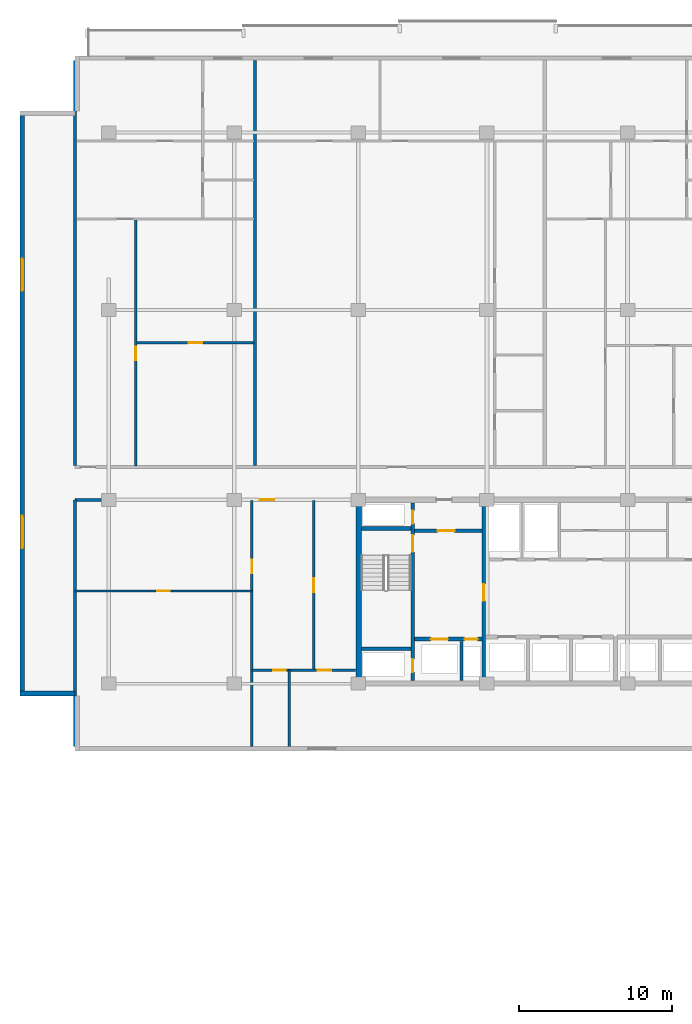
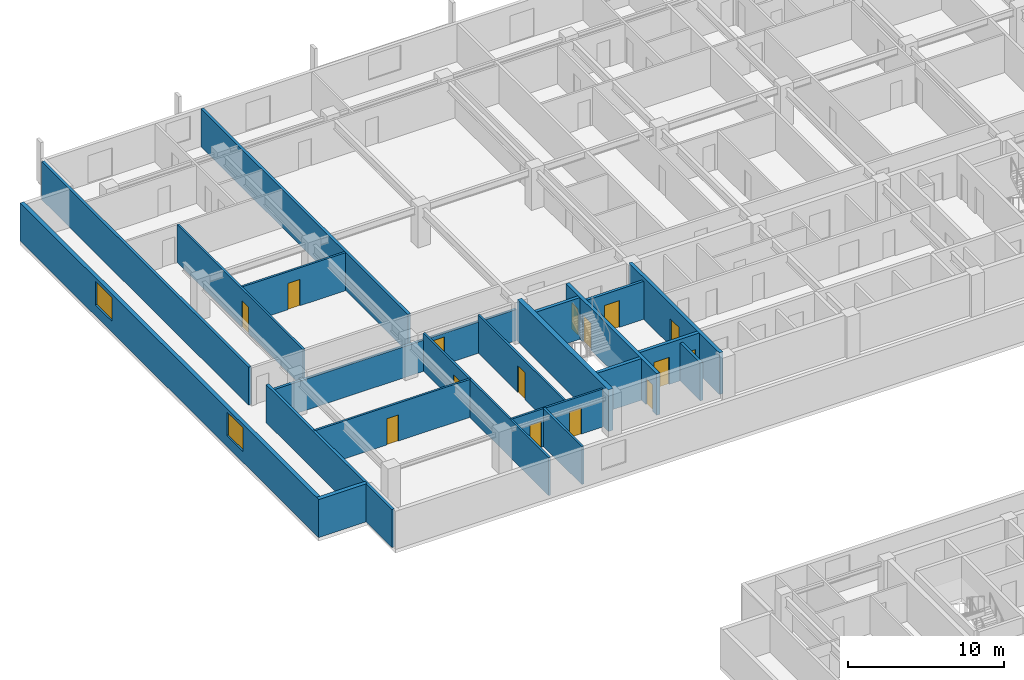
# One storey, part 11 of 22: 21 walls, 15 doors, 2 windows, 17 openings.
"""IFC4 building model written with IfcOpenShell, lengths in metres."""

from ifc_helpers import new_model, si_unit, direction, frame, frame_2d, origin, place, context, subcontext, project, spatial, rectangle, extrude, material, layer, layer_set, type_object, element, fill, save


model = new_model("IFC4")

# Units and contexts
model_context = context("Model", 3, precision=1e-05, world=origin(), true_north=direction((0.0, 1.0)))
body_context = subcontext(model_context, "Body", "Model", "MODEL_VIEW")
ifc_project = project(units=[si_unit("LENGTHUNIT", "METRE"), si_unit("AREAUNIT", "SQUARE_METRE"), si_unit("VOLUMEUNIT", "CUBIC_METRE"), si_unit("PLANEANGLEUNIT", "RADIAN"), si_unit("MASSUNIT", "GRAM", prefix="KILO")], contexts=[model_context])

# Site, building, storey
site_placement = place(None, origin())
site = spatial("IfcSite", under=ifc_project, at=site_placement, CompositionType="ELEMENT")
building_placement = place(site_placement, origin())
building = spatial("IfcBuilding", under=site, at=building_placement, Name="Korimba Cascade Residences", CompositionType="ELEMENT")
storey_placement = place(building_placement, frame((0.0, 0.0, 84.050048828125)))
storey = spatial("IfcBuildingStorey", under=building, at=storey_placement, Name="L23", CompositionType="ELEMENT", Elevation=84.050048828125)

# Wall, openings, windows
ifc_material_1 = material(Name="Precast concrete C40/50", Category="concrete")
ifc_layer_1 = layer(ifc_material_1, 0.300048828125)
ifc_layer_set_1 = layer_set([ifc_layer_1], Name="Precast concrete C40/50")
wall_type_1 = type_object("IfcWallType", Name="EW-STONE-300", PredefinedType="STANDARD", material=ifc_layer_set_1)
wall_1_placement = place(storey_placement, frame((54.14990234375, 92.60009765625, 0.0), z_axis=(0.0, 0.0, 1.0), x_axis=(0.0, -1.0, 0.0)))
wall_1 = element("IfcWall", 1, at=wall_1_placement, inside=storey, type_object=wall_type_1, Name="L23 T1 Perimeter Stone Wall E09", PredefinedType="STANDARD", context=body_context, shape_type="SweptSolid", body=[
    extrude(rectangle(XDim=38.2001953125, YDim=0.300048828125, at=frame_2d((19.10009765625, 0.0))), origin(), (0.0, 0.0, 1.0), 2.969970703125),
])
opening_1_placement = place(wall_1_placement, frame((9.64599609375, 0.0, 0.85009765625)))
opening_1 = element("IfcOpeningElement", 2, at=opening_1_placement, cuts=wall_1, Name="Opening W-03", PredefinedType="OPENING", context=body_context, shape_type="SweptSolid", body=[
    extrude(rectangle(XDim=2.10009765625, YDim=1.85009765625, at=frame_2d((1.050048828125, 0.925048828125))), frame((0.0, 0.16015625, 0.0), z_axis=(0.0, -1.0, 0.0), x_axis=(1.0, 0.0, 0.0)), (0.0, 0.0, 1.0), 0.320068359375),
])
opening_2_placement = place(wall_1_placement, frame((26.4541015625, 0.0, 0.85009765625)))
opening_2 = element("IfcOpeningElement", 3, at=opening_2_placement, cuts=wall_1, Name="Opening W-03", PredefinedType="OPENING", context=body_context, shape_type="SweptSolid", body=[
    extrude(rectangle(XDim=2.10009765625, YDim=1.85009765625, at=frame_2d((1.050048828125, 0.925048828125))), frame((0.0, 0.16015625, 0.0), z_axis=(0.0, -1.0, 0.0), x_axis=(1.0, 0.0, 0.0)), (0.0, 0.0, 1.0), 0.320068359375),
])
ifc_material_2 = material(Name="Double-Glazed Aluminium Window", Category="aluminium")
window_type = type_object("IfcWindowType", Name="WIN-CRN-2100", PartitioningType="DOUBLE_PANEL_HORIZONTAL", PredefinedType="WINDOW", material=ifc_material_2)
window_1_placement = place(opening_1_placement, origin())
window_1 = element("IfcWindow", 4, at=window_1_placement, inside=storey, type_object=window_type, Name="L23 T1 End View Window 9.1", OverallHeight=1.85009765625, OverallWidth=2.10009765625, PartitioningType="DOUBLE_PANEL_HORIZONTAL", PredefinedType="WINDOW", context=body_context, shape_type="SweptSolid", body=[
    extrude(rectangle(XDim=2.10009765625, YDim=1.85009765625, at=frame_2d((1.050048828125, 0.925048828125))), frame((0.0, 0.030029296875, 0.0), z_axis=(0.0, -1.0, 0.0), x_axis=(1.0, 0.0, 0.0)), (0.0, 0.0, 1.0), 0.06005859375),
])
fill(opening_1, window_1)
window_2_placement = place(opening_2_placement, origin())
window_2 = element("IfcWindow", 5, at=window_2_placement, inside=storey, type_object=window_type, Name="L23 T1 End View Window 9.2", OverallHeight=1.85009765625, OverallWidth=2.10009765625, PartitioningType="DOUBLE_PANEL_HORIZONTAL", PredefinedType="WINDOW", context=body_context, shape_type="SweptSolid", body=[
    extrude(rectangle(XDim=2.10009765625, YDim=1.85009765625, at=frame_2d((1.050048828125, 0.925048828125))), frame((0.0, 0.030029296875, 0.0), z_axis=(0.0, -1.0, 0.0), x_axis=(1.0, 0.0, 0.0)), (0.0, 0.0, 1.0), 0.06005859375),
])
fill(opening_2, window_2)

# Walls
wall_2_placement = place(storey_placement, frame((54.0, 54.550048828125, 0.0), z_axis=(0.0, 0.0, 1.0), x_axis=(1.0, 0.0, 0.0)))
element("IfcWall", 6, at=wall_2_placement, inside=storey, type_object=wall_type_1, Name="L23 T1 Perimeter Stone Wall E10", PredefinedType="STANDARD", context=body_context, shape_type="SweptSolid", body=[
    extrude(rectangle(XDim=3.60009765625, YDim=0.300048828125, at=frame_2d((1.800048828125, 0.0))), origin(), (0.0, 0.0, 1.0), 2.969970703125),
])
ifc_material_3 = material(Name="Concrete C65/80", Category="concrete")
ifc_layer_2 = layer(ifc_material_3, 0.35009765625)
ifc_layer_set_2 = layer_set([ifc_layer_2], Name="Concrete C65/80")
wall_type_2 = type_object("IfcWallType", Name="WAL-CORE-350", PredefinedType="SHEAR", material=ifc_layer_set_2)
wall_3_placement = place(storey_placement, frame((76.125, 55.375, 0.0), z_axis=(0.0, 0.0, 1.0), x_axis=(0.0, 1.0, 0.0)))
element("IfcWall", 7, at=wall_3_placement, inside=storey, type_object=wall_type_2, Name="L23 Core Shear Wall CW-L23-T1-W", PredefinedType="SHEAR", context=body_context, shape_type="SweptSolid", body=[
    extrude(rectangle(XDim=11.64990234375, YDim=0.35009765625, at=frame_2d((5.824951171875, 0.0))), origin(), (0.0, 0.0, 1.0), 3.25),
])
ifc_layer_3 = layer(ifc_material_1, 0.199951171875)
ifc_layer_set_3 = layer_set([ifc_layer_3], Name="Precast concrete C40/50")
wall_type_3 = type_object("IfcWallType", Name="WAL-IT-200", PredefinedType="PARTITIONING", material=ifc_layer_set_3)
wall_4_placement = place(storey_placement, frame((57.60009765625, 51.10009765625, 0.0), z_axis=(0.0, 0.0, 1.0), x_axis=(0.0, 1.0, 0.0)))
element("IfcWall", 8, at=wall_4_placement, inside=storey, type_object=wall_type_3, Name="L23 Partition Wall WAL-L23-T1-FW-WL", PredefinedType="PARTITIONING", context=body_context, shape_type="SweptSolid", body=[
    extrude(rectangle(XDim=16.099853515625, YDim=0.199951171875, at=frame_2d((8.0498046875, 0.0))), origin(), (0.0, 0.0, 1.0), 2.969970703125),
])

# Wall, opening, door
wall_5_placement = place(storey_placement, frame((57.60009765625, 67.199951171875, 0.0), z_axis=(0.0, 0.0, 1.0), x_axis=(1.0, 0.0, 0.0)))
wall_5 = element("IfcWall", 9, at=wall_5_placement, inside=storey, type_object=wall_type_3, Name="L23 Partition Wall WAL-L23-T1-FW-N", PredefinedType="PARTITIONING", context=body_context, shape_type="SweptSolid", body=[
    extrude(rectangle(XDim=18.349853515625, YDim=0.199951171875, at=frame_2d((9.1748046875, 0.0))), origin(), (0.0, 0.0, 1.0), 2.433349609375),
])
opening_3_placement = place(wall_5_placement, frame((12.07470703125, 0.0, 0.0)))
opening_3 = element("IfcOpeningElement", 10, at=opening_3_placement, cuts=wall_5, Name="Opening D-UN1", PredefinedType="OPENING", context=body_context, shape_type="SweptSolid", body=[
    extrude(rectangle(XDim=0.949951171875, YDim=2.14990234375, at=frame_2d((0.47509765625, 1.074951171875))), frame((0.0, 0.10986328125, 0.0), z_axis=(0.0, -1.0, 0.0), x_axis=(1.0, 0.0, 0.0)), (0.0, 0.0, 1.0), 0.219970703125),
])
ifc_material_4 = material(Name="Fire-Rated Hardwood Apartment Entrance Door", Category="wood")
door_type_1 = type_object("IfcDoorType", Name="DR-FD60-950", OperationType="NOTDEFINED", PredefinedType="DOOR", material=ifc_material_4)
door_1_placement = place(opening_3_placement, origin())
door_1 = element("IfcDoor", 11, at=door_1_placement, inside=storey, type_object=door_type_1, Name="L23-T1-FW Entrance Door", OperationType="SINGLE_SWING_LEFT", OverallHeight=2.14990234375, OverallWidth=0.949951171875, PredefinedType="DOOR", context=body_context, shape_type="SweptSolid", body=[
    extrude(rectangle(XDim=0.949951171875, YDim=2.14990234375, at=frame_2d((0.47509765625, 1.074951171875))), frame((0.0, 0.02490234375, 0.0), z_axis=(0.0, -1.0, 0.0), x_axis=(1.0, 0.0, 0.0)), (0.0, 0.0, 1.0), 0.050048828125),
])
fill(opening_3, door_1)

# Walls
for number, where, z_axis, x_axis, name in (
    (12, (57.60009765625, 69.429931640625, 0.0), (0.0, 0.0, 1.0), (0.0, 1.0, 0.0), "L23 Partition Wall WAL-L23-T1-BNDWL"),
    (13, (69.36669921875, 69.429931640625, 0.0), (0.0, 0.0, 1.0), (0.0, 1.0, 0.0), "L23 Partition Wall WAL-L23-T1-DEM-1"),
):
    element("IfcWall", number, at=place(storey_placement, frame(where, z_axis=z_axis, x_axis=x_axis)), inside=storey, type_object=wall_type_3, Name=name, PredefinedType="PARTITIONING", context=body_context, shape_type="SweptSolid", body=[
        extrude(rectangle(XDim=26.469970703125, YDim=0.199951171875, at=frame_2d((13.23486328125, 0.0))), origin(), (0.0, 0.0, 1.0), 2.969970703125),
    ])

# Wall, opening, door
ifc_material_5 = material(Name="Insulated Acoustic Stud Partition", Category="gypsum")
ifc_layer_4 = layer(ifc_material_5, 0.14990234375)
ifc_layer_set_4 = layer_set([ifc_layer_4], Name="Insulated Acoustic Stud Partition")
wall_type_4 = type_object("IfcWallType", Name="WAL-PART-150", PredefinedType="PARTITIONING", material=ifc_layer_set_4)
wall_6_placement = place(storey_placement, frame((57.60009765625, 61.25, 0.0), z_axis=(0.0, 0.0, 1.0), x_axis=(1.0, 0.0, 0.0)))
wall_6 = element("IfcWall", 14, at=wall_6_placement, inside=storey, type_object=wall_type_4, Name="L23 Partition Wall WAL-L23-T1-FW-STH", PredefinedType="PARTITIONING", context=body_context, shape_type="SweptSolid", body=[
    extrude(rectangle(XDim=11.5498046875, YDim=0.14990234375, at=frame_2d((5.77490234375, 0.0))), origin(), (0.0, 0.0, 1.0), 2.969970703125),
])
opening_4_placement = place(wall_6_placement, frame((5.35498046875, 0.0, 0.0)))
opening_4 = element("IfcOpeningElement", 15, at=opening_4_placement, cuts=wall_6, Name="Opening D-BT1", PredefinedType="OPENING", context=body_context, shape_type="SweptSolid", body=[
    extrude(rectangle(XDim=0.840087890625, YDim=2.0400390625, at=frame_2d((0.419921875, 1.02001953125))), frame((0.0, 0.0849609375, 0.0), z_axis=(0.0, -1.0, 0.0), x_axis=(1.0, 0.0, 0.0)), (0.0, 0.0, 1.0), 0.169921875),
])
ifc_material_6 = material(Name="Moisture-Resistant Bathroom Timber Door", Category="wood")
door_type_2 = type_object("IfcDoorType", Name="DR-INT-850", OperationType="NOTDEFINED", PredefinedType="DOOR", material=ifc_material_6)
door_2_placement = place(opening_4_placement, origin())
door_2 = element("IfcDoor", 16, at=door_2_placement, inside=storey, type_object=door_type_2, Name="L23-T1-FW Dressing Store Door", OperationType="SINGLE_SWING_RIGHT", OverallHeight=2.0400390625, OverallWidth=0.840087890625, PredefinedType="DOOR", context=body_context, shape_type="SweptSolid", body=[
    extrude(rectangle(XDim=0.840087890625, YDim=2.0400390625, at=frame_2d((0.419921875, 1.02001953125))), frame((0.0, 0.02490234375, 0.0), z_axis=(0.0, -1.0, 0.0), x_axis=(1.0, 0.0, 0.0)), (0.0, 0.0, 1.0), 0.050048828125),
])
fill(opening_4, door_2)

wall_7_placement = place(storey_placement, frame((69.14990234375, 51.10009765625, 0.0), z_axis=(0.0, 0.0, 1.0), x_axis=(0.0, 1.0, 0.0)))
wall_7 = element("IfcWall", 17, at=wall_7_placement, inside=storey, type_object=wall_type_4, Name="L23 Partition Wall WAL-L23-T1-FW-STV", PredefinedType="PARTITIONING", context=body_context, shape_type="SweptSolid", body=[
    extrude(rectangle(XDim=16.0498046875, YDim=0.14990234375, at=frame_2d((8.02490234375, 0.0))), origin(), (0.0, 0.0, 1.0), 2.969970703125),
])
opening_5_placement = place(wall_7_placement, frame((11.300048828125, 0.0, 0.0)))
opening_5 = element("IfcOpeningElement", 18, at=opening_5_placement, cuts=wall_7, Name="Opening D-IN2", PredefinedType="OPENING", context=body_context, shape_type="SweptSolid", body=[
    extrude(rectangle(XDim=0.8798828125, YDim=2.06005859375, at=frame_2d((0.43994140625, 1.030029296875))), frame((0.0, 0.0849609375, 0.0), z_axis=(0.0, -1.0, 0.0), x_axis=(1.0, 0.0, 0.0)), (0.0, 0.0, 1.0), 0.169921875),
])
ifc_material_7 = material(Name="Acoustic Timber Bedroom Door", Category="wood")
door_type_3 = type_object("IfcDoorType", Name="DR-INT-880", OperationType="NOTDEFINED", PredefinedType="DOOR", material=ifc_material_7)
door_3_placement = place(opening_5_placement, origin())
door_3 = element("IfcDoor", 19, at=door_3_placement, inside=storey, type_object=door_type_3, Name="L23-T1-FW Study Door", OperationType="SINGLE_SWING_LEFT", OverallHeight=2.06005859375, OverallWidth=0.8798828125, PredefinedType="DOOR", context=body_context, shape_type="SweptSolid", body=[
    extrude(rectangle(XDim=0.8798828125, YDim=2.06005859375, at=frame_2d((0.43994140625, 1.030029296875))), frame((0.0, 0.02490234375, 0.0), z_axis=(0.0, -1.0, 0.0), x_axis=(1.0, 0.0, 0.0)), (0.0, 0.0, 1.0), 0.050048828125),
])
fill(opening_5, door_3)

wall_8_placement = place(storey_placement, frame((73.199951171875, 56.070068359375, 0.0), z_axis=(0.0, 0.0, 1.0), x_axis=(0.0, 1.0, 0.0)))
wall_8 = element("IfcWall", 20, at=wall_8_placement, inside=storey, type_object=wall_type_4, Name="L23 Partition Wall WAL-L23-T1-FW-VN", PredefinedType="PARTITIONING", context=body_context, shape_type="SweptSolid", body=[
    extrude(rectangle(XDim=11.079833984375, YDim=0.14990234375, at=frame_2d((5.5400390625, 0.0))), origin(), (0.0, 0.0, 1.0), 2.969970703125),
])
opening_6_placement = place(wall_8_placement, frame((5.080078125, 0.0, 0.0)))
opening_6 = element("IfcOpeningElement", 21, at=opening_6_placement, cuts=wall_8, Name="Opening D-IN1", PredefinedType="OPENING", context=body_context, shape_type="SweptSolid", body=[
    extrude(rectangle(XDim=0.919921875, YDim=2.080078125, at=frame_2d((0.4599609375, 1.0400390625))), frame((0.0, 0.0849609375, 0.0), z_axis=(0.0, -1.0, 0.0), x_axis=(1.0, 0.0, 0.0)), (0.0, 0.0, 1.0), 0.169921875),
])
ifc_material_8 = material(Name="Acoustic Timber Living Door", Category="wood")
door_type_4 = type_object("IfcDoorType", Name="DR-INT-920", OperationType="NOTDEFINED", PredefinedType="DOOR", material=ifc_material_8)
door_4_placement = place(opening_6_placement, origin())
door_4 = element("IfcDoor", 22, at=door_4_placement, inside=storey, type_object=door_type_4, Name="L23-T1-FW Living Door", OperationType="SINGLE_SWING_RIGHT", OverallHeight=2.080078125, OverallWidth=0.919921875, PredefinedType="DOOR", context=body_context, shape_type="SweptSolid", body=[
    extrude(rectangle(XDim=0.919921875, YDim=2.080078125, at=frame_2d((0.4599609375, 1.0400390625))), frame((0.0, 0.02490234375, 0.0), z_axis=(0.0, -1.0, 0.0), x_axis=(1.0, 0.0, 0.0)), (0.0, 0.0, 1.0), 0.050048828125),
])
fill(opening_6, door_4)

# Wall
wall_9_placement = place(storey_placement, frame((71.60009765625, 51.10009765625, 0.0), z_axis=(0.0, 0.0, 1.0), x_axis=(0.0, 1.0, 0.0)))
element("IfcWall", 23, at=wall_9_placement, inside=storey, type_object=wall_type_4, Name="L23 Partition Wall WAL-L23-T1-FW-VS", PredefinedType="PARTITIONING", context=body_context, shape_type="SweptSolid", body=[
    extrude(rectangle(XDim=4.969970703125, YDim=0.14990234375, at=frame_2d((2.48486328125, 0.0))), origin(), (0.0, 0.0, 1.0), 2.969970703125),
])

# Wall, openings, doors
wall_10_placement = place(storey_placement, frame((69.169921875, 56.070068359375, 0.0), z_axis=(0.0, 0.0, 1.0), x_axis=(1.0, 0.0, 0.0)))
wall_10 = element("IfcWall", 24, at=wall_10_placement, inside=storey, type_object=wall_type_4, Name="L23 Partition Wall WAL-L23-T1-FW-H", PredefinedType="PARTITIONING", context=body_context, shape_type="SweptSolid", body=[
    extrude(rectangle(XDim=6.760009765625, YDim=0.14990234375, at=frame_2d((3.3798828125, 0.0))), origin(), (0.0, 0.0, 1.0), 2.969970703125),
])
opening_7_placement = place(wall_10_placement, frame((1.3623046875, 0.0, 0.0)))
opening_7 = element("IfcOpeningElement", 25, at=opening_7_placement, cuts=wall_10, Name="Opening D-BT1", PredefinedType="OPENING", context=body_context, shape_type="SweptSolid", body=[
    extrude(rectangle(XDim=0.840087890625, YDim=2.0400390625, at=frame_2d((0.419921875, 1.02001953125))), frame((0.0, 0.0849609375, 0.0), z_axis=(0.0, -1.0, 0.0), x_axis=(1.0, 0.0, 0.0)), (0.0, 0.0, 1.0), 0.169921875),
])
opening_8_placement = place(wall_10_placement, frame((4.276611328125, 0.0, 0.0)))
opening_8 = element("IfcOpeningElement", 26, at=opening_8_placement, cuts=wall_10, Name="Opening D-IN2", PredefinedType="OPENING", context=body_context, shape_type="SweptSolid", body=[
    extrude(rectangle(XDim=0.8798828125, YDim=2.06005859375, at=frame_2d((0.43994140625, 1.030029296875))), frame((0.0, 0.0849609375, 0.0), z_axis=(0.0, -1.0, 0.0), x_axis=(1.0, 0.0, 0.0)), (0.0, 0.0, 1.0), 0.169921875),
])
door_5_placement = place(opening_7_placement, origin())
door_5 = element("IfcDoor", 27, at=door_5_placement, inside=storey, type_object=door_type_2, Name="L23-T1-FW Bathroom Door", OperationType="SINGLE_SWING_LEFT", OverallHeight=2.0400390625, OverallWidth=0.840087890625, PredefinedType="DOOR", context=body_context, shape_type="SweptSolid", body=[
    extrude(rectangle(XDim=0.840087890625, YDim=2.0400390625, at=frame_2d((0.419921875, 1.02001953125))), frame((0.0, 0.02490234375, 0.0), z_axis=(0.0, -1.0, 0.0), x_axis=(1.0, 0.0, 0.0)), (0.0, 0.0, 1.0), 0.050048828125),
])
fill(opening_7, door_5)
door_6_placement = place(opening_8_placement, origin())
door_6 = element("IfcDoor", 28, at=door_6_placement, inside=storey, type_object=door_type_3, Name="L23-T1-FW Bedroom Door", OperationType="SINGLE_SWING_RIGHT", OverallHeight=2.06005859375, OverallWidth=0.8798828125, PredefinedType="DOOR", context=body_context, shape_type="SweptSolid", body=[
    extrude(rectangle(XDim=0.8798828125, YDim=2.06005859375, at=frame_2d((0.43994140625, 1.030029296875))), frame((0.0, 0.02490234375, 0.0), z_axis=(0.0, -1.0, 0.0), x_axis=(1.0, 0.0, 0.0)), (0.0, 0.0, 1.0), 0.050048828125),
])
fill(opening_8, door_6)

# Wall, opening, door
wall_11_placement = place(storey_placement, frame((61.6298828125, 77.4599609375, 0.0), z_axis=(0.0, 0.0, 1.0), x_axis=(1.0, 0.0, 0.0)))
wall_11 = element("IfcWall", 29, at=wall_11_placement, inside=storey, type_object=wall_type_4, Name="L23 Partition Wall WAL-L23-T1-U01-FMH", PredefinedType="PARTITIONING", context=body_context, shape_type="SweptSolid", body=[
    extrude(rectangle(XDim=7.65673828125, YDim=0.14990234375, at=frame_2d((3.828369140625, 0.0))), origin(), (0.0, 0.0, 1.0), 2.969970703125),
])
opening_9_placement = place(wall_11_placement, frame((3.38818359375, 0.0, 0.0)))
opening_9 = element("IfcOpeningElement", 30, at=opening_9_placement, cuts=wall_11, Name="Opening D-IN2", PredefinedType="OPENING", context=body_context, shape_type="SweptSolid", body=[
    extrude(rectangle(XDim=0.8798828125, YDim=2.06005859375, at=frame_2d((0.43994140625, 1.030029296875))), frame((0.0, 0.0849609375, 0.0), z_axis=(0.0, -1.0, 0.0), x_axis=(1.0, 0.0, 0.0)), (0.0, 0.0, 1.0), 0.169921875),
])
door_7_placement = place(opening_9_placement, origin())
door_7 = element("IfcDoor", 31, at=door_7_placement, inside=storey, type_object=door_type_3, Name="L23-T1-U01 Library Salon Door", OperationType="SINGLE_SWING_RIGHT", OverallHeight=2.06005859375, OverallWidth=0.8798828125, PredefinedType="DOOR", context=body_context, shape_type="SweptSolid", body=[
    extrude(rectangle(XDim=0.8798828125, YDim=2.06005859375, at=frame_2d((0.43994140625, 1.030029296875))), frame((0.0, 0.02490234375, 0.0), z_axis=(0.0, -1.0, 0.0), x_axis=(1.0, 0.0, 0.0)), (0.0, 0.0, 1.0), 0.050048828125),
])
fill(opening_9, door_7)

wall_12_placement = place(storey_placement, frame((61.570068359375, 69.409912109375, 0.0), z_axis=(0.0, 0.0, 1.0), x_axis=(0.0, 1.0, 0.0)))
wall_12 = element("IfcWall", 32, at=wall_12_placement, inside=storey, type_object=wall_type_4, Name="L23 Partition Wall WAL-L23-T1-U01-FV", PredefinedType="PARTITIONING", context=body_context, shape_type="SweptSolid", body=[
    extrude(rectangle(XDim=16.10009765625, YDim=0.14990234375, at=frame_2d((8.050048828125, 0.0))), origin(), (0.0, 0.0, 1.0), 2.969970703125),
])
opening_10_placement = place(wall_12_placement, frame((6.919921875, 0.0, 0.0)))
opening_10 = element("IfcOpeningElement", 33, at=opening_10_placement, cuts=wall_12, Name="Opening D-IN2", PredefinedType="OPENING", context=body_context, shape_type="SweptSolid", body=[
    extrude(rectangle(XDim=0.8798828125, YDim=2.06005859375, at=frame_2d((0.43994140625, 1.030029296875))), frame((0.0, 0.0849609375, 0.0), z_axis=(0.0, -1.0, 0.0), x_axis=(1.0, 0.0, 0.0)), (0.0, 0.0, 1.0), 0.169921875),
])
door_8_placement = place(opening_10_placement, origin())
door_8 = element("IfcDoor", 34, at=door_8_placement, inside=storey, type_object=door_type_3, Name="L23-T1-U01 Media Lounge Door", OperationType="SINGLE_SWING_LEFT", OverallHeight=2.06005859375, OverallWidth=0.8798828125, PredefinedType="DOOR", context=body_context, shape_type="SweptSolid", body=[
    extrude(rectangle(XDim=0.8798828125, YDim=2.06005859375, at=frame_2d((0.43994140625, 1.030029296875))), frame((0.0, 0.02490234375, 0.0), z_axis=(0.0, -1.0, 0.0), x_axis=(1.0, 0.0, 0.0)), (0.0, 0.0, 1.0), 0.050048828125),
])
fill(opening_10, door_8)

# Wall
ifc_material_9 = material(Name="Concrete C40/50", Category="concrete")
ifc_layer_5 = layer(ifc_material_9, 0.199951171875)
ifc_layer_set_5 = layer_set([ifc_layer_5], Name="Concrete C40/50")
wall_type_5 = type_object("IfcWallType", Name="WAL-PART-200", PredefinedType="PARTITIONING", material=ifc_layer_set_5)
wall_13_placement = place(storey_placement, frame((82.85009765625, 55.39990234375, 0.0), z_axis=(0.0, 0.0, 1.0), x_axis=(0.0, 1.0, 0.0)))
element("IfcWall", 35, at=wall_13_placement, inside=storey, type_object=wall_type_5, Name="L23 Partition Wall CW-L23-T1-FFLDIV", PredefinedType="PARTITIONING", context=body_context, shape_type="SweptSolid", body=[
    extrude(rectangle(XDim=2.56005859375, YDim=0.199951171875, at=frame_2d((1.280029296875, 0.0))), origin(), (0.0, 0.0, 1.0), 2.969970703125),
])

# Wall, opening, door
wall_14_placement = place(storey_placement, frame((79.7900390625, 65.179931640625, 0.0), z_axis=(0.0, 0.0, 1.0), x_axis=(1.0, 0.0, 0.0)))
wall_14 = element("IfcWall", 36, at=wall_14_placement, inside=storey, type_object=wall_type_5, Name="L23 Partition Wall CW-L23-T1-FFLN", PredefinedType="PARTITIONING", context=body_context, shape_type="SweptSolid", body=[
    extrude(rectangle(XDim=4.389892578125, YDim=0.199951171875, at=frame_2d((2.19482421875, 0.0))), origin(), (0.0, 0.0, 1.0), 2.969970703125),
])
opening_11_placement = place(wall_14_placement, frame((1.5, 0.0, 0.0)))
opening_11 = element("IfcOpeningElement", 37, at=opening_11_placement, cuts=wall_14, Name="Opening D-FD1", PredefinedType="OPENING", context=body_context, shape_type="SweptSolid", body=[
    extrude(rectangle(XDim=1.10009765625, YDim=2.10009765625, at=frame_2d((0.550048828125, 1.050048828125))), frame((0.0, 0.10986328125, 0.0), z_axis=(0.0, -1.0, 0.0), x_axis=(1.0, 0.0, 0.0)), (0.0, 0.0, 1.0), 0.219970703125),
])
ifc_material_10 = material(Name="Fire-Rated Steel Core Door", Category="steel")
door_type_5 = type_object("IfcDoorType", Name="DR-FD120-1100", OperationType="NOTDEFINED", PredefinedType="DOOR", material=ifc_material_10)
door_9_placement = place(opening_11_placement, origin())
door_9 = element("IfcDoor", 38, at=door_9_placement, inside=storey, type_object=door_type_5, Name="L23 West Firefighting Lobby Door", OperationType="SINGLE_SWING_LEFT", OverallHeight=2.10009765625, OverallWidth=1.10009765625, PredefinedType="DOOR", context=body_context, shape_type="SweptSolid", body=[
    extrude(rectangle(XDim=1.10009765625, YDim=2.10009765625, at=frame_2d((0.550048828125, 1.050048828125))), frame((0.0, 0.02490234375, 0.0), z_axis=(0.0, -1.0, 0.0), x_axis=(1.0, 0.0, 0.0)), (0.0, 0.0, 1.0), 0.050048828125),
])
fill(opening_11, door_9)

# Wall, openings, doors
ifc_material_11 = material(Name="Concrete C50/60", Category="concrete")
ifc_layer_6 = layer(ifc_material_11, 0.25)
ifc_layer_set_6 = layer_set([ifc_layer_6], Name="Concrete C50/60")
wall_type_6 = type_object("IfcWallType", Name="WAL-SHAFT-250", PredefinedType="SHEAR", material=ifc_layer_set_6)
wall_15_placement = place(storey_placement, frame((79.6650390625, 55.39990234375, 0.0), z_axis=(0.0, 0.0, 1.0), x_axis=(0.0, 1.0, 0.0)))
wall_15 = element("IfcWall", 39, at=wall_15_placement, inside=storey, type_object=wall_type_6, Name="L23 Core Shear Wall CW-L23-T1-STW1E", PredefinedType="SHEAR", context=body_context, shape_type="SweptSolid", body=[
    extrude(rectangle(XDim=11.60009765625, YDim=0.25, at=frame_2d((5.800048828125, 0.0))), origin(), (0.0, 0.0, 1.0), 3.25),
])
opening_12_placement = place(wall_15_placement, frame((0.550048828125, 0.0, 0.0)))
opening_12 = element("IfcOpeningElement", 40, at=opening_12_placement, cuts=wall_15, Name="Opening D-RS1", PredefinedType="OPENING", context=body_context, shape_type="SweptSolid", body=[
    extrude(rectangle(XDim=0.85009765625, YDim=2.050048828125, at=frame_2d((0.425048828125, 1.02490234375))), frame((0.0, 0.135009765625, 0.0), z_axis=(0.0, -1.0, 0.0), x_axis=(1.0, 0.0, 0.0)), (0.0, 0.0, 1.0), 0.27001953125),
])
opening_13_placement = place(wall_15_placement, frame((8.39990234375, 0.0, 0.0)))
opening_13 = element("IfcOpeningElement", 41, at=opening_13_placement, cuts=wall_15, Name="Opening D-FD1", PredefinedType="OPENING", context=body_context, shape_type="SweptSolid", body=[
    extrude(rectangle(XDim=1.10009765625, YDim=2.10009765625, at=frame_2d((0.550048828125, 1.050048828125))), frame((0.0, 0.135009765625, 0.0), z_axis=(0.0, -1.0, 0.0), x_axis=(1.0, 0.0, 0.0)), (0.0, 0.0, 1.0), 0.27001953125),
])
opening_14_placement = place(wall_15_placement, frame((10.25, 0.0, 0.0)))
opening_14 = element("IfcOpeningElement", 42, at=opening_14_placement, cuts=wall_15, Name="Opening D-RS1", PredefinedType="OPENING", context=body_context, shape_type="SweptSolid", body=[
    extrude(rectangle(XDim=0.85009765625, YDim=2.050048828125, at=frame_2d((0.425048828125, 1.02490234375))), frame((0.0, 0.135009765625, 0.0), z_axis=(0.0, -1.0, 0.0), x_axis=(1.0, 0.0, 0.0)), (0.0, 0.0, 1.0), 0.27001953125),
])
door_10_placement = place(opening_13_placement, origin())
door_10 = element("IfcDoor", 43, at=door_10_placement, inside=storey, type_object=door_type_5, Name="L23 Fire Stair ST-W1 Door", OperationType="SINGLE_SWING_RIGHT", OverallHeight=2.10009765625, OverallWidth=1.10009765625, PredefinedType="DOOR", context=body_context, shape_type="SweptSolid", body=[
    extrude(rectangle(XDim=1.10009765625, YDim=2.10009765625, at=frame_2d((0.550048828125, 1.050048828125))), frame((0.0, 0.02490234375, 0.0), z_axis=(0.0, -1.0, 0.0), x_axis=(1.0, 0.0, 0.0)), (0.0, 0.0, 1.0), 0.050048828125),
])
fill(opening_13, door_10)
ifc_material_12 = material(Name="Fire-Rated Steel Riser Access Door", Category="steel")
door_type_6 = type_object("IfcDoorType", Name="DR-FD60-850", OperationType="NOTDEFINED", PredefinedType="DOOR", material=ifc_material_12)
door_11_placement = place(opening_12_placement, origin())
door_11 = element("IfcDoor", 44, at=door_11_placement, inside=storey, type_object=door_type_6, Name="L23 Smoke Riser Access Door", OperationType="SINGLE_SWING_LEFT", OverallHeight=2.050048828125, OverallWidth=0.85009765625, PredefinedType="DOOR", context=body_context, shape_type="SweptSolid", body=[
    extrude(rectangle(XDim=0.85009765625, YDim=2.050048828125, at=frame_2d((0.425048828125, 1.02490234375))), frame((0.0, 0.02490234375, 0.0), z_axis=(0.0, -1.0, 0.0), x_axis=(1.0, 0.0, 0.0)), (0.0, 0.0, 1.0), 0.050048828125),
])
fill(opening_12, door_11)
door_12_placement = place(opening_14_placement, origin())
door_12 = element("IfcDoor", 45, at=door_12_placement, inside=storey, type_object=door_type_6, Name="L23 Hydrant Riser Access Door", OperationType="SINGLE_SWING_LEFT", OverallHeight=2.050048828125, OverallWidth=0.85009765625, PredefinedType="DOOR", context=body_context, shape_type="SweptSolid", body=[
    extrude(rectangle(XDim=0.85009765625, YDim=2.050048828125, at=frame_2d((0.425048828125, 1.02490234375))), frame((0.0, 0.02490234375, 0.0), z_axis=(0.0, -1.0, 0.0), x_axis=(1.0, 0.0, 0.0)), (0.0, 0.0, 1.0), 0.050048828125),
])
fill(opening_14, door_12)

# Walls
for number, where, z_axis, x_axis, name in (
    (46, (76.300048828125, 57.47509765625, 0.0), (0.0, 0.0, 1.0), (1.0, 0.0, 0.0), "L23 Core Shear Wall CW-L23-T1-STW1S"),
    (47, (76.300048828125, 65.324951171875, 0.0), (0.0, 0.0, 1.0), (1.0, 0.0, 0.0), "L23 Core Shear Wall CW-L23-T1-STW1N"),
):
    element("IfcWall", number, at=place(storey_placement, frame(where, z_axis=z_axis, x_axis=x_axis)), inside=storey, type_object=wall_type_6, Name=name, PredefinedType="SHEAR", context=body_context, shape_type="SweptSolid", body=[
        extrude(rectangle(XDim=3.239990234375, YDim=0.25, at=frame_2d((1.6201171875, 0.0))), origin(), (0.0, 0.0, 1.0), 3.25),
    ])

# Wall, openings, doors
wall_16_placement = place(storey_placement, frame((79.7900390625, 58.10009765625, 0.0), z_axis=(0.0, 0.0, 1.0), x_axis=(1.0, 0.0, 0.0)))
wall_16 = element("IfcWall", 48, at=wall_16_placement, inside=storey, type_object=wall_type_6, Name="L23 Core Shear Wall CW-L23-T1-FFLS", PredefinedType="SHEAR", context=body_context, shape_type="SweptSolid", body=[
    extrude(rectangle(XDim=4.389892578125, YDim=0.25, at=frame_2d((2.19482421875, 0.0))), origin(), (0.0, 0.0, 1.0), 3.25),
])
opening_15_placement = place(wall_16_placement, frame((1.050048828125, 0.0, 0.0)))
opening_15 = element("IfcOpeningElement", 49, at=opening_15_placement, cuts=wall_16, Name="Opening LD-01", PredefinedType="OPENING", context=body_context, shape_type="SweptSolid", body=[
    extrude(rectangle(XDim=1.1201171875, YDim=2.1201171875, at=frame_2d((0.56005859375, 1.06005859375))), frame((0.0, 0.135009765625, 0.0), z_axis=(0.0, -1.0, 0.0), x_axis=(1.0, 0.0, 0.0)), (0.0, 0.0, 1.0), 0.27001953125),
])
opening_16_placement = place(wall_16_placement, frame((3.260009765625, 0.0, 0.0)))
opening_16 = element("IfcOpeningElement", 50, at=opening_16_placement, cuts=wall_16, Name="Opening D-RS1", PredefinedType="OPENING", context=body_context, shape_type="SweptSolid", body=[
    extrude(rectangle(XDim=0.85009765625, YDim=2.050048828125, at=frame_2d((0.425048828125, 1.02490234375))), frame((0.0, 0.135009765625, 0.0), z_axis=(0.0, -1.0, 0.0), x_axis=(1.0, 0.0, 0.0)), (0.0, 0.0, 1.0), 0.27001953125),
])
door_13_placement = place(opening_16_placement, origin())
door_13 = element("IfcDoor", 51, at=door_13_placement, inside=storey, type_object=door_type_6, Name="L23 Pressurisation Riser Door", OperationType="SINGLE_SWING_RIGHT", OverallHeight=2.050048828125, OverallWidth=0.85009765625, PredefinedType="DOOR", context=body_context, shape_type="SweptSolid", body=[
    extrude(rectangle(XDim=0.85009765625, YDim=2.050048828125, at=frame_2d((0.425048828125, 1.02490234375))), frame((0.0, 0.02490234375, 0.0), z_axis=(0.0, -1.0, 0.0), x_axis=(1.0, 0.0, 0.0)), (0.0, 0.0, 1.0), 0.050048828125),
])
fill(opening_16, door_13)
ifc_material_13 = material(Name="Stainless Steel Lift Landing Sliding Door", Category="steel")
door_type_7 = type_object("IfcDoorType", Name="DR-LIFT-1100", OperationType="NOTDEFINED", PredefinedType="DOOR", material=ifc_material_13)
door_14_placement = place(opening_15_placement, origin())
door_14 = element("IfcDoor", 52, at=door_14_placement, inside=storey, type_object=door_type_7, Name="L23 Firefighting Lift Landing Door FFL-W1", OperationType="SLIDING_TO_LEFT", OverallHeight=2.1201171875, OverallWidth=1.1201171875, PredefinedType="DOOR", context=body_context, shape_type="SweptSolid", body=[
    extrude(rectangle(XDim=1.1201171875, YDim=2.1201171875, at=frame_2d((0.56005859375, 1.06005859375))), frame((0.0, 0.02490234375, 0.0), z_axis=(0.0, -1.0, 0.0), x_axis=(1.0, 0.0, 0.0)), (0.0, 0.0, 1.0), 0.050048828125),
])
fill(opening_15, door_14)

# Wall, opening, door
wall_17_placement = place(storey_placement, frame((84.300048828125, 55.39990234375, 0.0), z_axis=(0.0, 0.0, 1.0), x_axis=(0.0, 1.0, 0.0)))
wall_17 = element("IfcWall", 53, at=wall_17_placement, inside=storey, type_object=wall_type_6, Name="L23 Core Shear Wall CW-L23-T1-FFLE", PredefinedType="SHEAR", context=body_context, shape_type="SweptSolid", body=[
    extrude(rectangle(XDim=11.60009765625, YDim=0.25, at=frame_2d((5.800048828125, 0.0))), origin(), (0.0, 0.0, 1.0), 3.25),
])
opening_17_placement = place(wall_17_placement, frame((5.199951171875, 0.0, 0.0)))
opening_17 = element("IfcOpeningElement", 54, at=opening_17_placement, cuts=wall_17, Name="Opening D-FD1", PredefinedType="OPENING", context=body_context, shape_type="SweptSolid", body=[
    extrude(rectangle(XDim=1.10009765625, YDim=2.10009765625, at=frame_2d((0.550048828125, 1.050048828125))), frame((0.0, 0.135009765625, 0.0), z_axis=(0.0, -1.0, 0.0), x_axis=(1.0, 0.0, 0.0)), (0.0, 0.0, 1.0), 0.27001953125),
])
door_15_placement = place(opening_17_placement, origin())
door_15 = element("IfcDoor", 55, at=door_15_placement, inside=storey, type_object=door_type_5, Name="L23 Firefighting Lobby to Lift Lobby Door", OperationType="SINGLE_SWING_RIGHT", OverallHeight=2.10009765625, OverallWidth=1.10009765625, PredefinedType="DOOR", context=body_context, shape_type="SweptSolid", body=[
    extrude(rectangle(XDim=1.10009765625, YDim=2.10009765625, at=frame_2d((0.550048828125, 1.050048828125))), frame((0.0, 0.02490234375, 0.0), z_axis=(0.0, -1.0, 0.0), x_axis=(1.0, 0.0, 0.0)), (0.0, 0.0, 1.0), 0.050048828125),
])
fill(opening_17, door_15)

save(model, "model.ifc")
